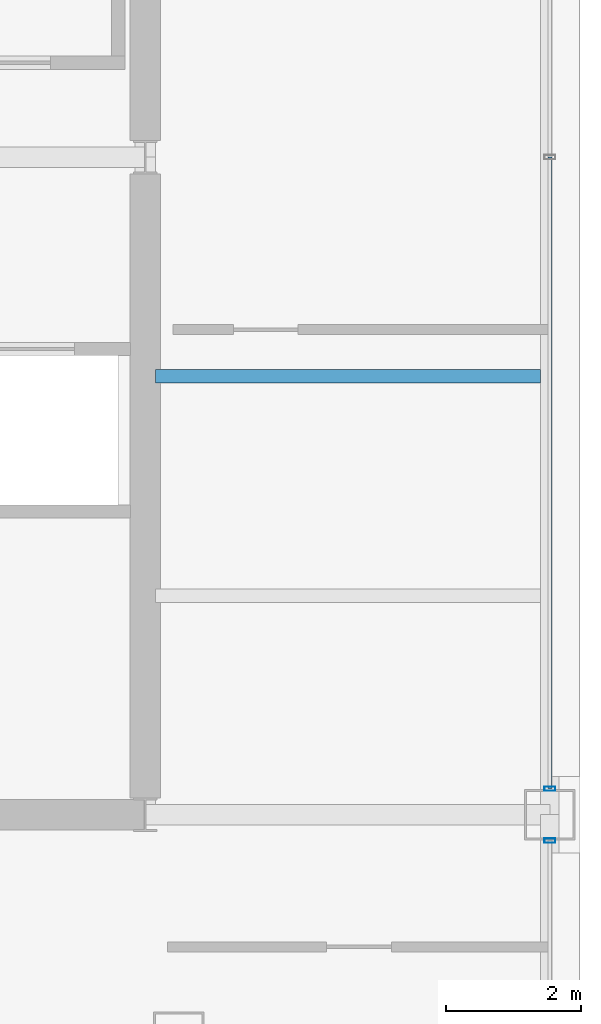
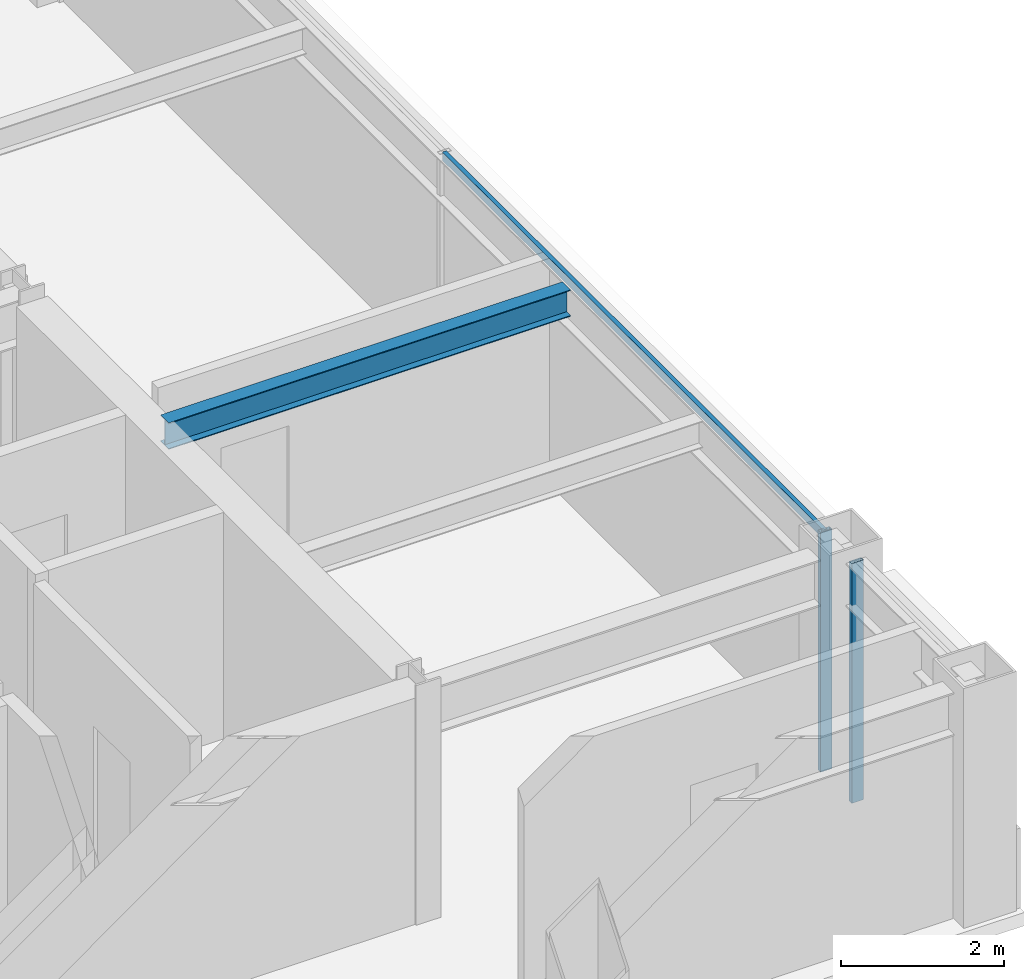
# One storey, part 13 of 27: 3 members, 1 beam, 2 elements without a shape of their own.
"""IFC4 building model written with IfcOpenShell, lengths in metres."""

from ifc_helpers import new_model, si_unit, direction, frame, origin, origin_2d, place, context, subcontext, project, spatial, hollow_rectangle, i_section, extrude, material, layer, layer_set, material_profile, profile_set, type_object, element, aggregate, save


model = new_model("IFC4")

# Units and contexts
model_context = context("Model", 3, precision=1e-05, world=origin(), true_north=direction((0.0, 1.0)))
body_context = subcontext(model_context, "Body", "Model", "MODEL_VIEW")
ifc_project = project(units=[si_unit("LENGTHUNIT", "METRE"), si_unit("AREAUNIT", "SQUARE_METRE"), si_unit("VOLUMEUNIT", "CUBIC_METRE"), si_unit("PLANEANGLEUNIT", "RADIAN"), si_unit("MASSUNIT", "GRAM", prefix="KILO")], contexts=[model_context])

# Site, building, storey
site_placement = place(None, origin())
site = spatial("IfcSite", under=ifc_project, at=site_placement, CompositionType="ELEMENT")
building_placement = place(site_placement, origin())
building = spatial("IfcBuilding", under=site, at=building_placement, Name="Brelmoor Portico Tower", CompositionType="ELEMENT")
storey_placement = place(building_placement, frame((0.0, 0.0, 158.699951171875)))
storey = spatial("IfcBuildingStorey", under=building, at=storey_placement, Name="L41", CompositionType="ELEMENT", Elevation=158.699951171875)

# Beam
ifc_material_1 = material(Name="Steel Q355B", Category="steel")
ifc_material_profile_1 = material_profile(ifc_material_1, i_section(OverallWidth=0.199951171875, OverallDepth=0.39990234375, WebThickness=0.008056640625, FlangeThickness=0.012939453125, at=origin_2d()), Name="HN 400x200x8x13")
ifc_profile_set_1 = profile_set([ifc_material_profile_1], Name="Steel Q355B")
beam_type = type_object("IfcBeamType", Name="BM-JS-400", PredefinedType="JOIST", material=ifc_profile_set_1)
beam_placement = place(storey_placement, frame((14.699951171875, -3.25, 3.199951171875), z_axis=(1.0, 0.0, 0.0), x_axis=(0.0, 1.0, 0.0)))
element("IfcBeam", 1, at=beam_placement, inside=storey, type_object=beam_type, Name="L41 Secondary Wing Joist JS-E10", PredefinedType="JOIST", context=body_context, shape_type="SweptSolid", body=[
    extrude(i_section(OverallWidth=0.199951171875, OverallDepth=0.39990234375, WebThickness=0.008056640625, FlangeThickness=0.012939453125, at=origin_2d()), origin(), (0.0, 0.0, 1.0), 5.7099609375),
])

# Curtain wall, member
ifc_material_2 = material(Name="Anodised Aluminium Alloy 6063-T6", Category="aluminium")
ifc_layer = layer(ifc_material_2, 0.179931640625)
ifc_layer_set = layer_set([ifc_layer], Name="Anodised Aluminium Alloy 6063-T6")
curtain_wall_type = type_object("IfcCurtainWallType", Name="CW-TOWER-Z3-XB", PredefinedType="NOTDEFINED", material=ifc_layer_set)
curtain_wall_1_placement = place(storey_placement, origin())
curtain_wall_1 = element("IfcCurtainWall", 2, at=curtain_wall_1_placement, inside=storey, type_object=curtain_wall_type, Name="L41 Curtain Wall CW-L41-04-1", PredefinedType="NOTDEFINED")
ifc_material_profile_2 = material_profile(ifc_material_2, hollow_rectangle(XDim=0.06494140625, YDim=0.1650390625, WallThickness=0.00390625, at=origin_2d()), Name="ALU MULLION 65x165")
ifc_profile_set_2 = profile_set([ifc_material_profile_2], Name="Anodised Aluminium Alloy 6063-T6")
member_type_1 = type_object("IfcMemberType", Name="MB-CW-MULL-165", PredefinedType="MULLION", material=ifc_profile_set_2)
member_1_placement = place(storey_placement, frame((20.550048828125, -10.135009765625, -0.199951171875), z_axis=(0.0, 0.0, 1.0), x_axis=(0.0, 1.0, 0.0)))
member_1 = element("IfcMember", 3, at=member_1_placement, type_object=member_type_1, Name="CW-L41-04-1 Mullion 01", PredefinedType="MULLION", context=body_context, shape_type="SweptSolid", body=[
    extrude(hollow_rectangle(XDim=0.06494140625, YDim=0.1650390625, WallThickness=0.00390625, at=origin_2d()), origin(), (0.0, 0.0, 1.0), 3.60009765625),
])
aggregate(curtain_wall_1, [member_1])

# Curtain wall, members
curtain_wall_2_placement = place(storey_placement, origin())
curtain_wall_2 = element("IfcCurtainWall", 4, at=curtain_wall_2_placement, inside=storey, type_object=curtain_wall_type, Name="L41 Curtain Wall CW-L41-04-2", PredefinedType="NOTDEFINED")
member_2_placement = place(storey_placement, frame((20.550048828125, -9.364990234375, -0.199951171875), z_axis=(0.0, 0.0, 1.0), x_axis=(0.0, 1.0, 0.0)))
member_2 = element("IfcMember", 5, at=member_2_placement, type_object=member_type_1, Name="CW-L41-04-2 Mullion 00", PredefinedType="MULLION", context=body_context, shape_type="SweptSolid", body=[
    extrude(hollow_rectangle(XDim=0.06494140625, YDim=0.1650390625, WallThickness=0.00390625, at=origin_2d()), origin(), (0.0, 0.0, 1.0), 3.60009765625),
])
ifc_material_profile_3 = material_profile(ifc_material_2, hollow_rectangle(XDim=0.06005859375, YDim=0.125, WallThickness=0.00341796875, at=origin_2d()), Name="ALU TRANSOM 60x125")
ifc_profile_set_3 = profile_set([ifc_material_profile_3], Name="Anodised Aluminium Alloy 6063-T6")
member_type_2 = type_object("IfcMemberType", Name="MB-CW-TRAN-125", PredefinedType="USERDEFINED", material=ifc_profile_set_3)
member_3_placement = place(storey_placement, frame((20.550048828125, -9.364990234375, 3.337646484375), z_axis=(0.0, 1.0, 0.0), x_axis=(-1.0, 0.0, 0.0)))
member_3 = element("IfcMember", 6, at=member_3_placement, type_object=member_type_2, Name="CW-L41-04-2 Transom 1-00", ObjectType="TRANSOM", PredefinedType="USERDEFINED", context=body_context, shape_type="SweptSolid", body=[
    extrude(hollow_rectangle(XDim=0.06005859375, YDim=0.125, WallThickness=0.00341796875, at=origin_2d()), origin(), (0.0, 0.0, 1.0), 9.364990234375),
])
aggregate(curtain_wall_2, [member_2, member_3])

save(model, "model.ifc")
